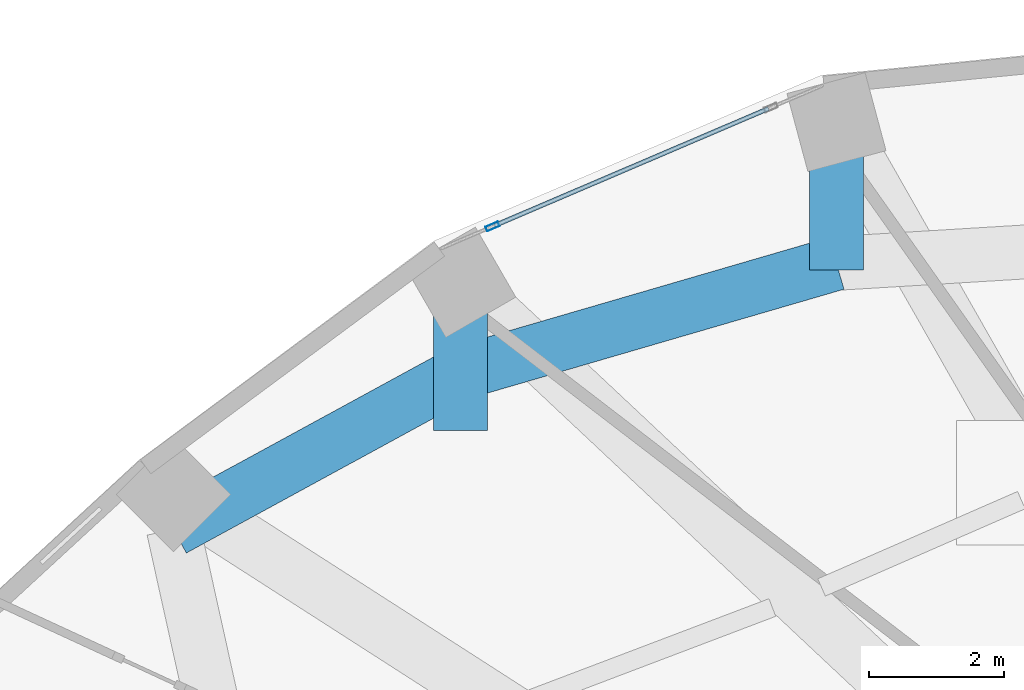
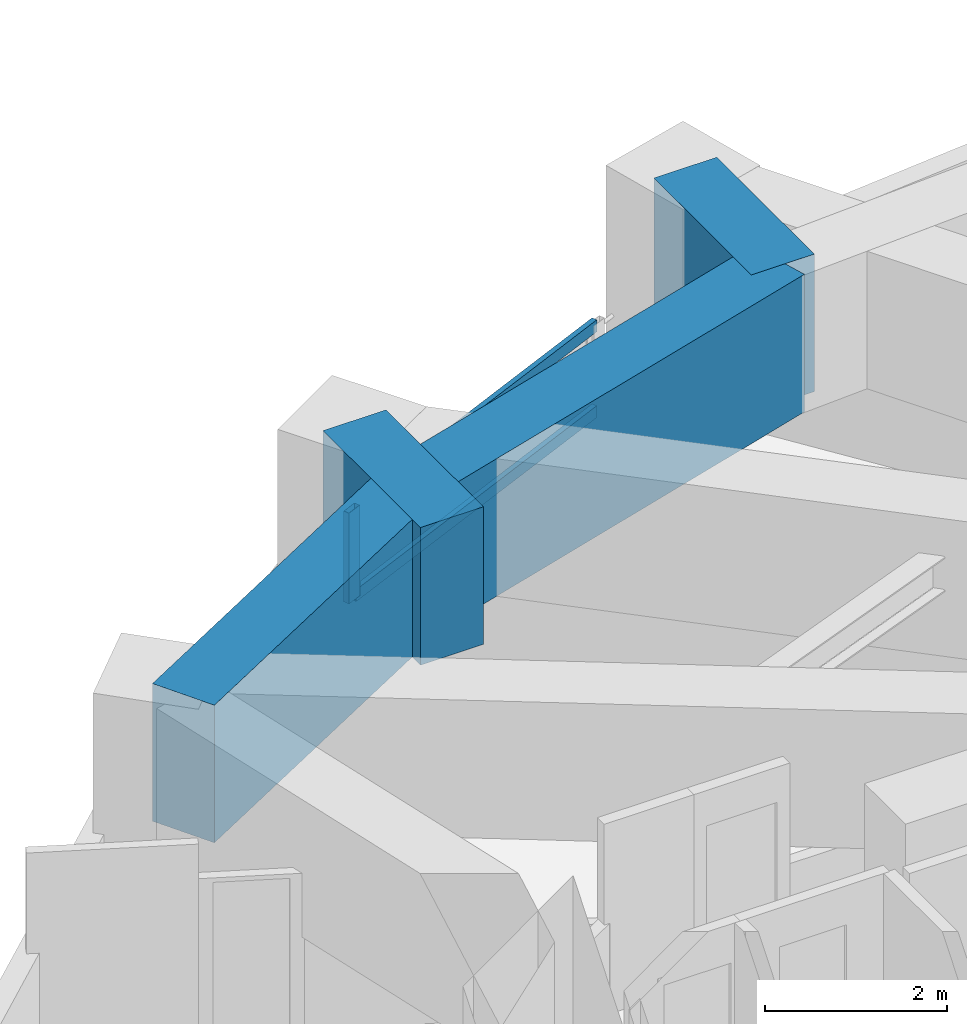
# One storey, part 10 of 22: 4 beams, 3 members, 1 element without a shape of its own.
"""IFC4 building model written with IfcOpenShell, lengths in metres."""

from ifc_helpers import new_model, si_unit, direction, frame, origin, origin_2d, place, context, subcontext, project, spatial, rectangle, hollow_rectangle, extrude, material, layer, layer_set, material_profile, profile_set, type_object, element, aggregate, save


model = new_model("IFC4")

# Units and contexts
model_context = context("Model", 3, precision=1e-05, world=origin(), true_north=direction((0.0, 1.0)))
body_context = subcontext(model_context, "Body", "Model", "MODEL_VIEW")
ifc_project = project(units=[si_unit("LENGTHUNIT", "METRE"), si_unit("AREAUNIT", "SQUARE_METRE"), si_unit("VOLUMEUNIT", "CUBIC_METRE"), si_unit("PLANEANGLEUNIT", "RADIAN"), si_unit("MASSUNIT", "GRAM", prefix="KILO")], contexts=[model_context])

# Site, building, storey
site_placement = place(None, origin())
site = spatial("IfcSite", under=ifc_project, at=site_placement, CompositionType="ELEMENT")
building_placement = place(site_placement, origin())
building = spatial("IfcBuilding", under=site, at=building_placement, Name="Solvane Sanctuary Tower", CompositionType="ELEMENT")
storey_placement = place(building_placement, frame((0.0, 0.0, 43.10009765625)))
storey = spatial("IfcBuildingStorey", under=building, at=storey_placement, Name="L12", CompositionType="ELEMENT", Elevation=43.10009765625)

# Beams
ifc_material_1 = material(Name="Concrete C70/85", Category="concrete")
ifc_material_profile_1 = material_profile(ifc_material_1, rectangle(XDim=0.800048828125, YDim=1.85009765625, at=origin_2d()), Name="RC800X1850")
ifc_profile_set_1 = profile_set([ifc_material_profile_1], Name="Concrete C70/85")
beam_type = type_object("IfcBeamType", Name="Beam B-XFER-BLK RC800X1850", PredefinedType="BEAM", material=ifc_profile_set_1)
for number, where, z_axis, x_axis, name in (
    (1, (23.85498046875, 42.03369140625, 2.1748046875), (0.0, -1.0, 0.0), (1.0, 0.0, 0.0), "L12 Block-Shift Transfer Tie 05B"),
    (2, (18.272705078125, 39.654052734375, 2.1748046875), (0.0, -1.0, 0.0), (1.0, 0.0, 0.0), "L12 Block-Shift Transfer Tie 06B"),
):
    element("IfcBeam", number, at=place(storey_placement, frame(where, z_axis=z_axis, x_axis=x_axis)), inside=storey, type_object=beam_type, Name=name, PredefinedType="BEAM", context=body_context, shape_type="SweptSolid", body=[
        extrude(rectangle(XDim=0.800048828125, YDim=1.85009765625, at=origin_2d()), origin(), (0.0, 0.0, 1.0), 2.14990234375),
    ])
beam_1_placement = place(storey_placement, frame((14.00830078125, 36.035400390625, 2.1748046875), z_axis=(0.878074180076, 0.478524538853, 0.0), x_axis=(-0.478524538853, 0.878074180076, 0.0)))
element("IfcBeam", 3, at=beam_1_placement, inside=storey, type_object=beam_type, Name="L12 Perimeter Step Transfer Ring NTC07-NTC06", PredefinedType="BEAM", context=body_context, shape_type="SweptSolid", body=[
    extrude(rectangle(XDim=0.800048828125, YDim=1.85009765625, at=origin_2d()), origin(), (0.0, 0.0, 1.0), 4.8564453125),
])
beam_2_placement = place(storey_placement, frame((18.272705078125, 38.359375, 2.1748046875), z_axis=(0.960089774527, 0.279692017849, 0.0), x_axis=(-0.279692017849, 0.960089774527, 0.0)))
element("IfcBeam", 4, at=beam_2_placement, inside=storey, type_object=beam_type, Name="L12 Perimeter Step Transfer Ring NTC06-NTC05", PredefinedType="BEAM", context=body_context, shape_type="SweptSolid", body=[
    extrude(rectangle(XDim=0.800048828125, YDim=1.85009765625, at=origin_2d()), origin(), (0.0, 0.0, 1.0), 5.814208984375),
])

# Curtain wall, members
ifc_material_2 = material(Name="Anodised Aluminium 6063-T6", Category="aluminium")
ifc_layer = layer(ifc_material_2, 0.169921875, Name="Anodised Aluminium 6063-T6")
ifc_layer_set = layer_set([ifc_layer], Name="Anodised Aluminium 6063-T6")
curtain_wall_type = type_object("IfcCurtainWallType", Name="Curtain Wall CW-FRIT-Z1", PredefinedType="NOTDEFINED", material=ifc_layer_set)
curtain_wall_placement = place(storey_placement, origin())
curtain_wall = element("IfcCurtainWall", 5, at=curtain_wall_placement, inside=storey, type_object=curtain_wall_type, Name="L12 CW-FRIT-Z1 Facade Run 07", PredefinedType="NOTDEFINED")
ifc_material_profile_2 = material_profile(ifc_material_2, hollow_rectangle(XDim=0.074951171875, YDim=0.199951171875, WallThickness=0.00390625, at=origin_2d()), Name="ALU200X75X4")
ifc_profile_set_2 = profile_set([ifc_material_profile_2], Name="Anodised Aluminium 6063-T6")
member_type_1 = type_object("IfcMemberType", Name="Member M-CW-MUL-1 ALU200X75X4", PredefinedType="MULLION", material=ifc_profile_set_2)
member_1_placement = place(storey_placement, frame((18.74658203125, 40.533935546875, 0.0), z_axis=(0.0, 0.0, 1.0), x_axis=(0.392820282466, -0.919615259597, 0.0)))
member_1 = element("IfcMember", 6, at=member_1_placement, type_object=member_type_1, Name="CW-FRIT-Z1 mullion 2", PredefinedType="MULLION", context=body_context, shape_type="SweptSolid", body=[
    extrude(hollow_rectangle(XDim=0.074951171875, YDim=0.199951171875, WallThickness=0.00390625, at=origin_2d()), origin(), (0.0, 0.0, 1.0), 1.219970703125),
])
ifc_material_profile_3 = material_profile(ifc_material_2, hollow_rectangle(XDim=0.06494140625, YDim=0.159912109375, WallThickness=0.00341796875, at=origin_2d()), Name="ALU160X65X3.5")
ifc_profile_set_3 = profile_set([ifc_material_profile_3], Name="Anodised Aluminium 6063-T6")
member_type_2 = type_object("IfcMemberType", Name="Member M-CW-TRN-1 ALU160X65X3.5", PredefinedType="USERDEFINED", material=ifc_profile_set_3)
member_2_placement = place(storey_placement, frame((22.84521484375, 42.28466796875, 0.032470703125), z_axis=(-0.919612983912, -0.392825609935, 0.0), x_axis=(0.392825609935, -0.919612983912, 0.0)))
member_2 = element("IfcMember", 7, at=member_2_placement, type_object=member_type_2, Name="CW-FRIT-Z1 transom 1.1", ObjectType="TRANSOM", PredefinedType="USERDEFINED", context=body_context, shape_type="SweptSolid", body=[
    extrude(hollow_rectangle(XDim=0.06494140625, YDim=0.159912109375, WallThickness=0.00341796875, at=origin_2d()), origin(), (0.0, 0.0, 1.0), 4.41943359375),
])
member_3_placement = place(storey_placement, frame((22.84521484375, 42.28466796875, 1.1875), z_axis=(-0.919612983912, -0.392825609935, 0.0), x_axis=(0.392825609935, -0.919612983912, 0.0)))
member_3 = element("IfcMember", 8, at=member_3_placement, type_object=member_type_2, Name="CW-FRIT-Z1 transom 1.2", ObjectType="TRANSOM", PredefinedType="USERDEFINED", context=body_context, shape_type="SweptSolid", body=[
    extrude(hollow_rectangle(XDim=0.06494140625, YDim=0.159912109375, WallThickness=0.00341796875, at=origin_2d()), origin(), (0.0, 0.0, 1.0), 4.41943359375),
])
aggregate(curtain_wall, [member_1, member_2, member_3])

save(model, "model.ifc")
